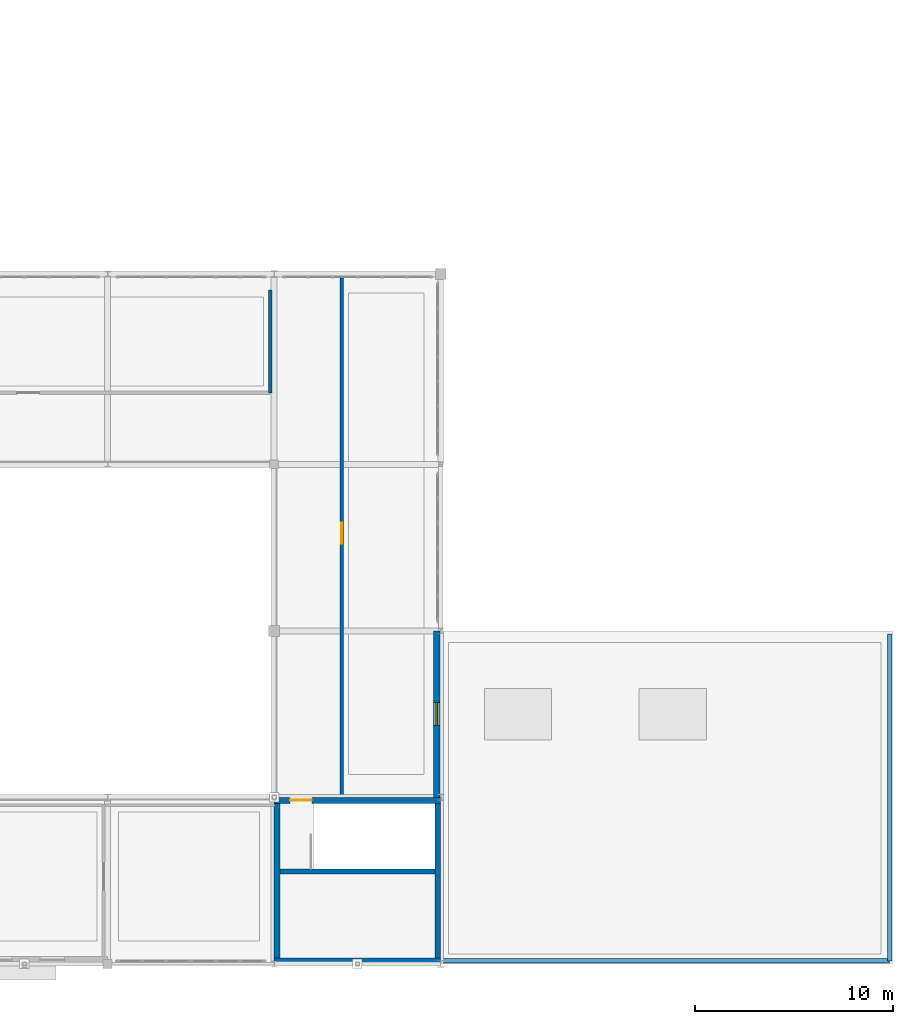
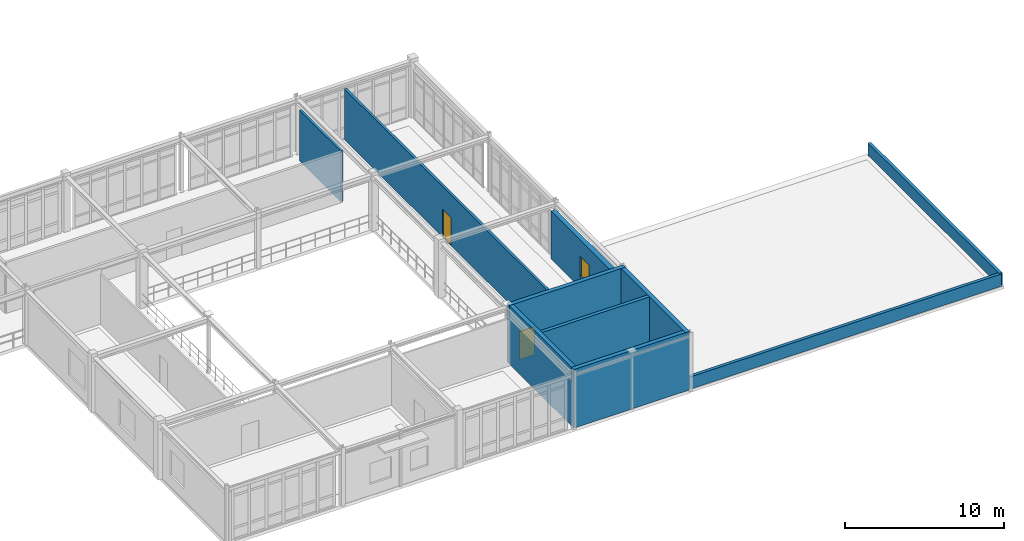
# One storey, part 92 of 106: 10 walls, 2 doors, 1 window, 3 openings.
"""IFC4 building model written with IfcOpenShell, lengths in metres."""

import ifcopenshell
import ifcopenshell.guid

model = None  # the IFC model being written
_history = None  # IfcOwnerHistory: only IFC2X3 demands one
_inside = {}  # id of a spatial element -> (the spatial element, [elements in it])
_under = {}  # id of a project, library or spatial element -> (it, [spatial elements below it])
_declared = {}  # id of a project -> (the project, [libraries it declares])
_typed = {}  # id of a type object -> (the type object, [elements of that type])
_made_of = {}  # id of a material, layer set ... -> (it, [elements and type objects made of it])


def new_model(schema):
    """Start an empty IFC model of exactly this schema.

    Asked for "IFC4X3", IfcOpenShell would pick the latest addendum, in which some entities
    have other attributes; the version numbers below select the first issue.
    IFC2X3 requires an IfcOwnerHistory on every rooted entity: one is made here for all.
    """
    global model, _history
    if schema == "IFC4X3":
        model = ifcopenshell.file(schema_version=(4, 3, 0, 0))
    else:
        model = ifcopenshell.file(schema=schema)
    _inside.clear()
    _under.clear()
    _declared.clear()
    _typed.clear()
    _made_of.clear()
    _history = None
    if model.schema == "IFC2X3":
        org = make("IfcOrganization", Name="unknown")
        user = make(
            "IfcPersonAndOrganization",
            ThePerson=make("IfcPerson", FamilyName="unknown"),
            TheOrganization=org,
        )
        app = make(
            "IfcApplication",
            ApplicationDeveloper=org,
            Version="unknown",
            ApplicationFullName="unknown",
            ApplicationIdentifier="unknown",
        )
        _history = make(
            "IfcOwnerHistory",
            OwningUser=user,
            OwningApplication=app,
            ChangeAction="ADDED",
            CreationDate=0,
        )
    return model


def make(cls, **values):
    """One entity of the class cls with the attributes given. An attribute that is None is left unset."""
    return model.create_entity(
        cls, **{name: value for name, value in values.items() if value is not None}
    )


def rooted(cls, **values):
    """An entity with a GlobalId (a new one), such as an element, a storey or a relation."""
    return make(cls, GlobalId=ifcopenshell.guid.new(), OwnerHistory=_history, **values)


def si_unit(unit_type, name, prefix=None):
    """IfcSIUnit, for example si_unit("LENGTHUNIT", "METRE", prefix="MILLI")."""
    return make("IfcSIUnit", UnitType=unit_type, Prefix=prefix, Name=name)


def derived_unit(unit_type, elements):
    """IfcDerivedUnit: a product of units, each with its exponent."""
    return make(
        "IfcDerivedUnit",
        Elements=[
            make("IfcDerivedUnitElement", Unit=unit, Exponent=power)
            for unit, power in elements
        ],
        UnitType=unit_type,
    )


def assignment(units):
    """IfcUnitAssignment: the units of a project."""
    return None if units is None else make("IfcUnitAssignment", Units=units)


def point(xyz):
    """IfcCartesianPoint."""
    return None if xyz is None else make("IfcCartesianPoint", Coordinates=xyz)


def direction(xyz):
    """IfcDirection."""
    return None if xyz is None else make("IfcDirection", DirectionRatios=xyz)


def frame(location, z_axis=None, x_axis=None):
    """IfcAxis2Placement3D, a coordinate frame: its origin and axes. An axis left out is left unset."""
    return make(
        "IfcAxis2Placement3D",
        Location=point(location),
        Axis=direction(z_axis),
        RefDirection=direction(x_axis),
    )


def frame_2d(location, x_axis=None):
    """IfcAxis2Placement2D, a coordinate frame in the plane: its origin and x axis."""
    return make(
        "IfcAxis2Placement2D", Location=point(location), RefDirection=direction(x_axis)
    )


def origin():
    """The frame at (0, 0, 0) with its axes left unset."""
    return frame((0.0, 0.0, 0.0))


def place(relative_to, where):
    """IfcLocalPlacement: puts the frame where relative to a parent placement (None: the world)."""
    return make(
        "IfcLocalPlacement", PlacementRelTo=relative_to, RelativePlacement=where
    )


def context(
    kind, dimensions, precision=None, world=None, true_north=None, identifier=None
):
    """IfcGeometricRepresentationContext, for example the 3D "Model" context."""
    return make(
        "IfcGeometricRepresentationContext",
        ContextIdentifier=identifier,
        ContextType=kind,
        CoordinateSpaceDimension=dimensions,
        Precision=precision,
        WorldCoordinateSystem=world,
        TrueNorth=true_north,
    )


def subcontext(parent, identifier, kind, view, scale=None):
    """IfcGeometricRepresentationSubContext, for example "Body" below "Model"."""
    return make(
        "IfcGeometricRepresentationSubContext",
        ContextIdentifier=identifier,
        ContextType=kind,
        ParentContext=parent,
        TargetScale=scale,
        TargetView=view,
    )


def project(units=None, contexts=None):
    """IfcProject with its units and contexts."""
    return rooted(
        "IfcProject",
        Name="project",
        RepresentationContexts=contexts,
        UnitsInContext=assignment(units),
    )


def spatial(cls, under=None, at=None, **own):
    """A site, building, storey or space (cls), placed at a placement, below another one or the project."""
    s = rooted(cls, ObjectPlacement=at, **own)
    if under is not None:
        _under.setdefault(under.id(), (under, []))[1].append(s)
    return s


def profile(cls, at=None, kind="AREA", **sizes):
    """A parametric profile (cls). Its sizes go by their IFC names, for example OverallWidth=200.0."""
    return make(cls, ProfileType=kind, Position=at, **sizes)


def rectangle(**sizes):
    """IfcRectangleProfileDef."""
    return profile("IfcRectangleProfileDef", **sizes)


def extrude(swept, where, along, depth):
    """IfcExtrudedAreaSolid: the profile swept, set in the frame where, extruded along a direction by depth."""
    return make(
        "IfcExtrudedAreaSolid",
        SweptArea=swept,
        Position=where,
        ExtrudedDirection=direction(along),
        Depth=depth,
    )


def shape(context_of_items, identifier, shape_type, items):
    """IfcShapeRepresentation: the items that make up one representation, for example the "Body"."""
    return make(
        "IfcShapeRepresentation",
        ContextOfItems=context_of_items,
        RepresentationIdentifier=identifier,
        RepresentationType=shape_type,
        Items=items,
    )


def material(Name=None, Category=None):
    """IfcMaterial."""
    return make("IfcMaterial", Name=Name, Category=Category)


def layer(
    of_material, thickness, ventilated=None, Name=None, Category=None, Priority=None
):
    """IfcMaterialLayer: one layer of a wall or slab, of a material (None: an air gap)."""
    return make(
        "IfcMaterialLayer",
        Material=of_material,
        LayerThickness=thickness,
        IsVentilated=ventilated,
        Name=Name,
        Category=Category,
        Priority=Priority,
    )


def layer_set(layers, Name=None):
    """IfcMaterialLayerSet."""
    return make("IfcMaterialLayerSet", MaterialLayers=layers, LayerSetName=Name)


def made_of(thing, what):
    """Note that an element or type object is made of a material, layer set ...; save() writes the relation."""
    if what is not None:
        _made_of.setdefault(what.id(), (what, []))[1].append(thing)
    return thing


def type_object(cls, material=None, **own):
    """A type object (cls), such as IfcWallType, which elements share."""
    return made_of(rooted(cls, **own), material)


def element(
    cls,
    number,
    at=None,
    inside=None,
    cuts=None,
    type_object=None,
    material=None,
    context=None,
    identifier="Body",
    shape_type=None,
    held_by="IfcProductDefinitionShape",
    body=None,
    shapes=None,
    **own,
):
    """One element of the class cls, such as IfcWall. Its Tag is "e" and its number.

    at: its placement. inside: the storey or other place that contains it. cuts: it is an
    opening in that element (IfcRelVoidsElement). A single representation is given by context,
    identifier, shape_type and body (its items); several are given by shapes. held_by: the class
    of the entity that holds the representations. save() writes the other relations.
    """
    e = rooted(cls, Tag="e%d" % number, ObjectPlacement=at, **own)
    if body is not None:
        shapes = [shape(context, identifier, shape_type, body)]
    if shapes is not None:
        e.Representation = make(held_by, Representations=shapes)
    if inside is not None:
        _inside.setdefault(inside.id(), (inside, []))[1].append(e)
    if cuts is not None:
        rooted(
            "IfcRelVoidsElement", RelatingBuildingElement=cuts, RelatedOpeningElement=e
        )
    if type_object is not None:
        _typed.setdefault(type_object.id(), (type_object, []))[1].append(e)
    return made_of(e, material)


def fill(opening, filler):
    """IfcRelFillsElement: the door or window that sits in an opening."""
    return rooted(
        "IfcRelFillsElement",
        RelatingOpeningElement=opening,
        RelatedBuildingElement=filler,
    )


def aggregate(whole, parts):
    """IfcRelAggregates: a whole, such as a stair, and the parts it consists of."""
    return rooted("IfcRelAggregates", RelatingObject=whole, RelatedObjects=parts)


def save(model, path):
    """Write the relations noted so far, then the file.

    IfcRelAggregates (storeys below a building ...), IfcRelContainedInSpatialStructure (elements
    in a storey), IfcRelDefinesByType, IfcRelAssociatesMaterial and IfcRelDeclares: one each for
    every whole, place, type object, material and project.
    """
    for whole, parts in _under.values():
        aggregate(whole, parts)
    for where, things in _inside.values():
        rooted(
            "IfcRelContainedInSpatialStructure",
            RelatedElements=things,
            RelatingStructure=where,
        )
    for kind, things in _typed.values():
        rooted("IfcRelDefinesByType", RelatedObjects=things, RelatingType=kind)
    for what, things in _made_of.values():
        rooted("IfcRelAssociatesMaterial", RelatedObjects=things, RelatingMaterial=what)
    for by, libraries in _declared.values():
        rooted("IfcRelDeclares", RelatingContext=by, RelatedDefinitions=libraries)
    model.write(path)


model = new_model("IFC4")

# Units and contexts
model_context = context("Model", 3, precision=1e-05, world=origin(), true_north=direction((0.0, 1.0)))
body_context = subcontext(model_context, "Body", "Model", "MODEL_VIEW")
ifc_project = project(units=[si_unit("LENGTHUNIT", "METRE"), si_unit("AREAUNIT", "SQUARE_METRE"), si_unit("VOLUMEUNIT", "CUBIC_METRE"), si_unit("PLANEANGLEUNIT", "RADIAN"), si_unit("MASSUNIT", "GRAM", prefix="KILO"), derived_unit("THERMALTRANSMITTANCEUNIT", [(si_unit("POWERUNIT", "WATT"), 1), (si_unit("AREAUNIT", "SQUARE_METRE"), -1), (si_unit("THERMODYNAMICTEMPERATUREUNIT", "KELVIN"), -1)])], contexts=[model_context])

# Site, building, storey
site_placement = place(None, origin())
site = spatial("IfcSite", under=ifc_project, at=site_placement, CompositionType="ELEMENT")
building_placement = place(site_placement, origin())
building = spatial("IfcBuilding", under=site, at=building_placement, Name="Yasenodar Specialist Clinic", CompositionType="ELEMENT")
storey_placement = place(building_placement, frame((0.0, 0.0, 4.5)))
storey = spatial("IfcBuildingStorey", under=building, at=storey_placement, Name="L01", CompositionType="ELEMENT", Elevation=4.5)

# Wall, opening, window
ifc_material_1 = material(Name="Buff Architectural Terracotta Rainscreen", Category="masonry")
ifc_layer_1 = layer(ifc_material_1, 0.340087890625)
ifc_layer_set_1 = layer_set([ifc_layer_1], Name="Buff Architectural Terracotta Rainscreen")
wall_type_1 = type_object("IfcWallType", Name="EW-TERR-340", PredefinedType="SOLIDWALL", material=ifc_layer_set_1)
wall_1_placement = place(storey_placement, frame((138.39990234375, 16.800048828125, 0.0), z_axis=(0.0, 0.0, 1.0), x_axis=(0.0, -1.0, 0.0)))
wall_1 = element("IfcWall", 1, at=wall_1_placement, inside=storey, type_object=wall_type_1, Name="L01 Exterior Facade Wall 0078", PredefinedType="SOLIDWALL", context=body_context, shape_type="SweptSolid", body=[
    extrude(rectangle(XDim=8.400146484375, YDim=0.340087890625, at=frame_2d((4.2001953125, 0.0))), origin(), (0.0, 0.0, 1.0), 3.677978515625),
])
opening_1_placement = place(wall_1_placement, frame((3.625, 0.0, 0.85009765625)))
opening_1 = element("IfcOpeningElement", 2, at=opening_1_placement, cuts=wall_1, Name="Opening W-27", PredefinedType="OPENING", context=body_context, shape_type="SweptSolid", body=[
    extrude(rectangle(XDim=1.14990234375, YDim=1.550048828125, at=frame_2d((0.574951171875, 0.77490234375))), frame((0.0, 0.18017578125, 0.0), z_axis=(0.0, -1.0, 0.0), x_axis=(1.0, 0.0, 0.0)), (0.0, 0.0, 1.0), 0.360107421875),
])
ifc_material_2 = material(Name="Triple Low-E Argon Glazing in Bronze Aluminium Frame", Category="aluminium")
window_type = type_object("IfcWindowType", Name="WIN-EXT-27", PartitioningType="SINGLE_PANEL", PredefinedType="WINDOW", material=ifc_material_2)
window_placement = place(opening_1_placement, origin())
window = element("IfcWindow", 3, at=window_placement, inside=storey, type_object=window_type, Name="L01 Triple-Glazed Reveal Window 0062", OverallHeight=1.550048828125, OverallWidth=1.14990234375, PartitioningType="SINGLE_PANEL", PredefinedType="WINDOW", context=body_context, shape_type="SweptSolid", body=[
    extrude(rectangle(XDim=1.14990234375, YDim=1.550048828125, at=frame_2d((0.574951171875, 0.77490234375))), frame((0.0, 0.030029296875, 0.0), z_axis=(0.0, -1.0, 0.0), x_axis=(1.0, 0.0, 0.0)), (0.0, 0.0, 1.0), 0.06005859375),
])
fill(opening_1, window)

# Wall
ifc_material_3 = material(Name="Cleanroom Laboratory Partition")
ifc_layer_2 = layer(ifc_material_3, 0.169921875)
ifc_layer_set_2 = layer_set([ifc_layer_2], Name="Cleanroom Laboratory Partition")
wall_type_2 = type_object("IfcWallType", Name="IW-LAB-170", PredefinedType="PARTITIONING", material=ifc_layer_set_2)
wall_2_placement = place(storey_placement, frame((130.0, 34.0, 0.0), z_axis=(0.0, 0.0, 1.0), x_axis=(0.0, -1.0, 0.0)))
element("IfcWall", 4, at=wall_2_placement, inside=storey, type_object=wall_type_2, Name="L01 Speech and Swallowing Therapy Rooms Partition", PredefinedType="PARTITIONING", context=body_context, shape_type="SweptSolid", body=[
    extrude(rectangle(XDim=5.199951171875, YDim=0.169921875, at=frame_2d((2.60009765625, 0.0))), origin(), (0.0, 0.0, 1.0), 3.887939453125),
])

# Wall, opening, door
ifc_material_4 = material(Name="Hygienic Double-Stud Clinical Partition")
ifc_layer_3 = layer(ifc_material_4, 0.179931640625)
ifc_layer_set_3 = layer_set([ifc_layer_3], Name="Hygienic Double-Stud Clinical Partition")
wall_type_3 = type_object("IfcWallType", Name="IW-PROC-180", PredefinedType="PARTITIONING", material=ifc_layer_set_3)
wall_3_placement = place(storey_placement, frame((133.60009765625, 34.590087890625, 0.0), z_axis=(0.0, 0.0, 1.0), x_axis=(0.0, -1.0, 0.0)))
wall_3 = element("IfcWall", 5, at=wall_3_placement, inside=storey, type_object=wall_type_3, Name="L01 Prosthetics and Orthotics Fitting Clinic Partition", PredefinedType="PARTITIONING", context=body_context, shape_type="SweptSolid", body=[
    extrude(rectangle(XDim=26.210205078125, YDim=0.179931640625, at=frame_2d((13.10498046875, 0.0))), origin(), (0.0, 0.0, 1.0), 3.89794921875),
])
opening_2_placement = place(wall_3_placement, frame((12.340087890625, 0.0, 0.0)))
opening_2 = element("IfcOpeningElement", 6, at=opening_2_placement, cuts=wall_3, Name="Opening D-04", PredefinedType="OPENING", context=body_context, shape_type="SweptSolid", body=[
    extrude(rectangle(XDim=1.06005859375, YDim=2.159912109375, at=frame_2d((0.530029296875, 1.080078125))), frame((0.0, 0.10009765625, 0.0), z_axis=(0.0, -1.0, 0.0), x_axis=(1.0, 0.0, 0.0)), (0.0, 0.0, 1.0), 0.199951171875),
])
ifc_material_5 = material(Name="Powder-Coated Steel and Acoustic Laminate Leaf", Category="steel")
door_type_1 = type_object("IfcDoorType", Name="DR-CLN-106", OperationType="NOTDEFINED", PredefinedType="DOOR", material=ifc_material_5)
door_1_placement = place(opening_2_placement, origin())
door_1 = element("IfcDoor", 7, at=door_1_placement, inside=storey, type_object=door_type_1, Name="L01 Prosthetics and Orthotics Fitting Clinic Door", OperationType="SINGLE_SWING_LEFT", OverallHeight=2.159912109375, OverallWidth=1.06005859375, PredefinedType="DOOR", context=body_context, shape_type="SweptSolid", body=[
    extrude(rectangle(XDim=1.06005859375, YDim=2.159912109375, at=frame_2d((0.530029296875, 1.080078125))), frame((0.0, 0.02490234375, 0.0), z_axis=(0.0, -1.0, 0.0), x_axis=(1.0, 0.0, 0.0)), (0.0, 0.0, 1.0), 0.050048828125),
])
fill(opening_2, door_1)

# Wall
ifc_material_6 = material(Name="Concrete C35/45", Category="concrete")
ifc_layer_4 = layer(ifc_material_6, 0.25)
ifc_layer_set_4 = layer_set([ifc_layer_4], Name="Concrete C35/45")
wall_type_4 = type_object("IfcWallType", Name="WL-CORE-250", PredefinedType="SHEAR", material=ifc_layer_set_4)
wall_4_placement = place(storey_placement, frame((130.5, 4.64990234375, 0.0), z_axis=(0.0, 0.0, 1.0), x_axis=(1.0, 0.0, 0.0)))
element("IfcWall", 8, at=wall_4_placement, inside=storey, type_object=wall_type_4, Name="L01 Core C6 Central Spine Wall", PredefinedType="SHEAR", context=body_context, shape_type="SweptSolid", body=[
    extrude(rectangle(XDim=7.800048828125, YDim=0.25, at=frame_2d((3.89990234375, 0.0))), origin(), (0.0, 0.0, 1.0), 4.5),
])

# Wall, opening, door
ifc_layer_5 = layer(ifc_material_6, 0.300048828125)
ifc_layer_set_5 = layer_set([ifc_layer_5], Name="Concrete C35/45")
wall_type_5 = type_object("IfcWallType", Name="WL-CORE-300", PredefinedType="SHEAR", material=ifc_layer_set_5)
wall_5_placement = place(storey_placement, frame((130.199951171875, 8.25, 0.0), z_axis=(0.0, 0.0, 1.0), x_axis=(1.0, 0.0, 0.0)))
wall_5 = element("IfcWall", 9, at=wall_5_placement, inside=storey, type_object=wall_type_5, Name="L01 Core C6 North Shear Wall", PredefinedType="SHEAR", context=body_context, shape_type="SweptSolid", body=[
    extrude(rectangle(XDim=8.400146484375, YDim=0.300048828125, at=frame_2d((4.2001953125, 0.0))), origin(), (0.0, 0.0, 1.0), 4.5),
])
opening_3_placement = place(wall_5_placement, frame((0.800048828125, 0.0, 0.0)))
opening_3 = element("IfcOpeningElement", 10, at=opening_3_placement, cuts=wall_5, Name="Opening FD-01", PredefinedType="OPENING", context=body_context, shape_type="SweptSolid", body=[
    extrude(rectangle(XDim=1.10009765625, YDim=2.14990234375, at=frame_2d((0.550048828125, 1.074951171875))), frame((0.0, 0.16015625, 0.0), z_axis=(0.0, -1.0, 0.0), x_axis=(1.0, 0.0, 0.0)), (0.0, 0.0, 1.0), 0.320068359375),
])
ifc_material_7 = material(Name="Fire-Rated Insulated Steel Door", Category="steel")
door_type_2 = type_object("IfcDoorType", Name="DR-FD-110", OperationType="NOTDEFINED", PredefinedType="DOOR", material=ifc_material_7)
door_2_placement = place(opening_3_placement, origin())
door_2 = element("IfcDoor", 11, at=door_2_placement, inside=storey, type_object=door_type_2, Name="L01 ST-06 Protected Stair Door", OperationType="SINGLE_SWING_RIGHT", OverallHeight=2.14990234375, OverallWidth=1.10009765625, PredefinedType="DOOR", context=body_context, shape_type="SweptSolid", body=[
    extrude(rectangle(XDim=1.10009765625, YDim=2.14990234375, at=frame_2d((0.550048828125, 1.074951171875))), frame((0.0, 0.02490234375, 0.0), z_axis=(0.0, -1.0, 0.0), x_axis=(1.0, 0.0, 0.0)), (0.0, 0.0, 1.0), 0.050048828125),
])
fill(opening_3, door_2)

# Walls
wall_6_placement = place(storey_placement, frame((138.60009765625, 0.14990234375, 0.0), z_axis=(0.0, 0.0, 1.0), x_axis=(-1.0, 0.0, 0.0)))
element("IfcWall", 12, at=wall_6_placement, inside=storey, type_object=wall_type_5, Name="L01 Core C6 South Shear Wall", PredefinedType="SHEAR", context=body_context, shape_type="SweptSolid", body=[
    extrude(rectangle(XDim=8.400146484375, YDim=0.300048828125, at=frame_2d((4.2001953125, 0.0))), origin(), (0.0, 0.0, 1.0), 4.5),
])
for number, where, z_axis, x_axis, name in (
    (13, (130.35009765625, 0.0, 0.0), (0.0, 0.0, 1.0), (0.0, 1.0, 0.0), "L01 Core C6 West Shear Wall"),
    (14, (138.449951171875, 0.0, 0.0), (0.0, 0.0, 1.0), (0.0, 1.0, 0.0), "L01 Core C6 East Shear Wall"),
):
    element("IfcWall", number, at=place(storey_placement, frame(where, z_axis=z_axis, x_axis=x_axis)), inside=storey, type_object=wall_type_5, Name=name, PredefinedType="SHEAR", context=body_context, shape_type="SweptSolid", body=[
        extrude(rectangle(XDim=8.39990234375, YDim=0.300048828125, at=frame_2d((4.199951171875, 0.0))), origin(), (0.0, 0.0, 1.0), 4.5),
    ])
ifc_material_8 = material(Name="Precast concrete C40/50", Category="concrete")
ifc_layer_6 = layer(ifc_material_8, 0.219970703125)
ifc_layer_set_6 = layer_set([ifc_layer_6], Name="Precast concrete C40/50")
wall_type_6 = type_object("IfcWallType", Name="WL-PAR-220", PredefinedType="PARAPET", material=ifc_layer_set_6)
wall_7_placement = place(storey_placement, frame((138.60009765625, 0.14990234375, 0.0), z_axis=(0.0, 0.0, 1.0), x_axis=(1.0, 0.0, 0.0)))
element("IfcWall", 15, at=wall_7_placement, inside=storey, type_object=wall_type_6, Name="L01 Stone-Coped Roof Parapet 06", PredefinedType="PARAPET", context=body_context, shape_type="SweptSolid", body=[
    extrude(rectangle(XDim=22.64990234375, YDim=0.219970703125, at=frame_2d((11.324951171875, 0.0))), origin(), (0.0, 0.0, 1.0), 0.949951171875),
])
wall_8_placement = place(storey_placement, frame((161.25, 0.14990234375, 0.0), z_axis=(0.0, 0.0, 1.0), x_axis=(0.0, 1.0, 0.0)))
element("IfcWall", 16, at=wall_8_placement, inside=storey, type_object=wall_type_6, Name="L01 Stone-Coped Roof Parapet 07", PredefinedType="PARAPET", context=body_context, shape_type="SweptSolid", body=[
    extrude(rectangle(XDim=16.5, YDim=0.219970703125, at=frame_2d((8.25, 0.0))), origin(), (0.0, 0.0, 1.0), 0.949951171875),
])

save(model, "model.ifc")
